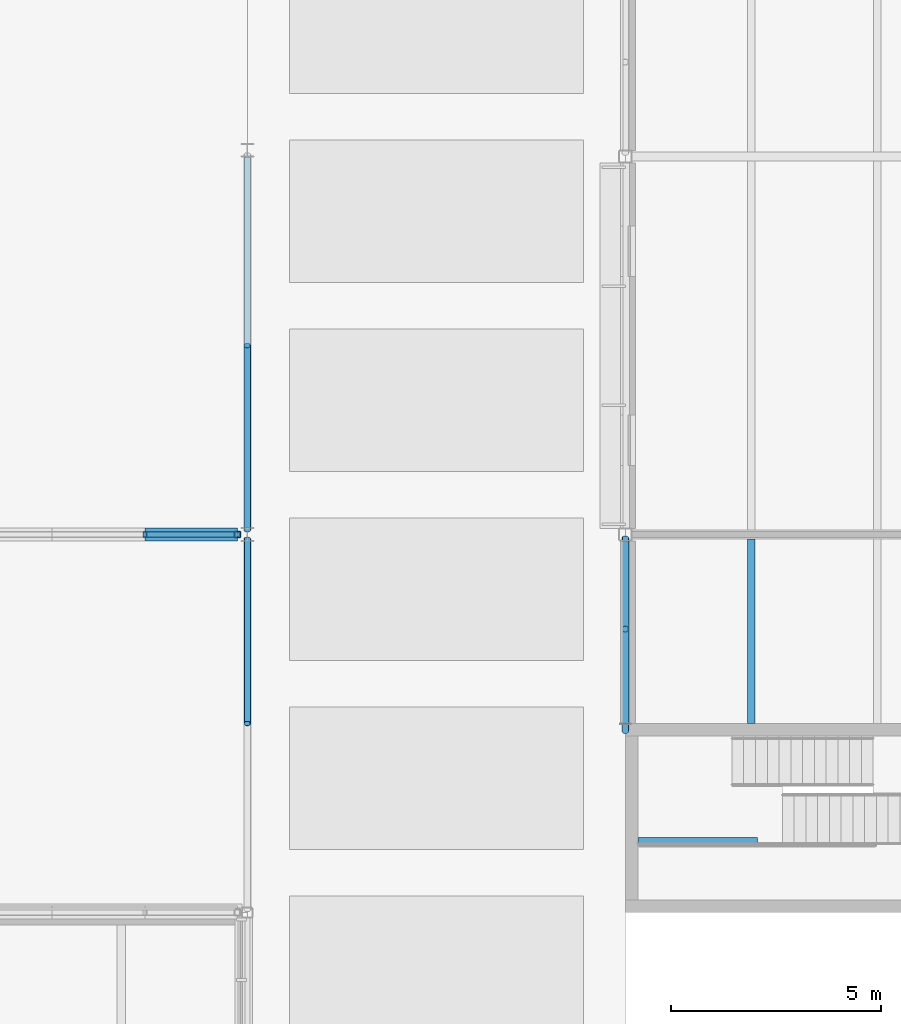
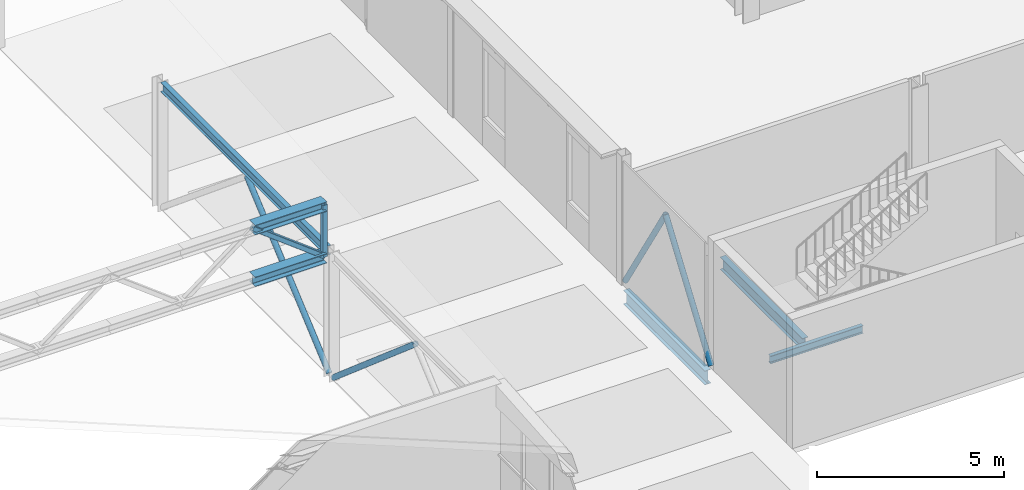
# One storey, part 11 of 61: 8 members, 4 beams.
"""IFC4 building model written with IfcOpenShell, lengths in metres."""

from ifc_helpers import new_model, si_unit, direction, frame, origin, origin_2d, place, context, subcontext, project, spatial, hollow_rectangle, hollow_circle, i_section, extrude, material, material_profile, profile_set, type_object, element, save


model = new_model("IFC4")

# Units and contexts
model_context = context("Model", 3, precision=1e-05, world=origin(), true_north=direction((0.0, 1.0)))
body_context = subcontext(model_context, "Body", "Model", "MODEL_VIEW")
ifc_project = project(units=[si_unit("LENGTHUNIT", "METRE"), si_unit("AREAUNIT", "SQUARE_METRE"), si_unit("VOLUMEUNIT", "CUBIC_METRE"), si_unit("PLANEANGLEUNIT", "RADIAN"), si_unit("MASSUNIT", "GRAM", prefix="KILO")], contexts=[model_context])

# Site, building, storey
site_placement = place(None, origin())
site = spatial("IfcSite", under=ifc_project, at=site_placement, CompositionType="ELEMENT")
building_placement = place(site_placement, origin())
building = spatial("IfcBuilding", under=site, at=building_placement, Name="Halyard Row Museum", CompositionType="ELEMENT")
storey_placement = place(building_placement, frame((0.0, 0.0, 9.199951171875)))
storey = spatial("IfcBuildingStorey", under=building, at=storey_placement, Name="L02", CompositionType="ELEMENT", Elevation=9.199951171875)

# Members
ifc_material_1 = material(Name="Steel Grade C350L0", Category="steel")
ifc_material_profile_1 = material_profile(ifc_material_1, hollow_circle(Radius=0.084228515625, WallThickness=0.007080078125, at=origin_2d()), Name="168.3x7.1CHS")
ifc_profile_set_1 = profile_set([ifc_material_profile_1], Name="Steel Grade C350L0")
member_type_1 = type_object("IfcMemberType", Name="Brace 168.3x7.1CHS", PredefinedType="BRACE", material=ifc_profile_set_1)
for number, where, z_axis, x_axis, name in (
    (1, (18.0, 26.886474609375, 0.084228515625), (0.0, -0.759304330453, 0.650735686554), (1.0, 0.0, 0.0), "Brace L02 X18 18-27 B"),
    (2, (18.0, 27.113525390625, 0.084228515625), (0.0, 0.759304330453, 0.650735686554), (-1.0, 0.0, 0.0), "Brace L02 X18 27-36 A"),
):
    element("IfcMember", number, at=place(storey_placement, frame(where, z_axis=z_axis, x_axis=x_axis)), inside=storey, type_object=member_type_1, Name=name, PredefinedType="BRACE", context=body_context, shape_type="SweptSolid", body=[
        extrude(hollow_circle(Radius=0.084228515625, WallThickness=0.007080078125, at=origin_2d()), origin(), (0.0, 0.0, 1.0), 5.77685546875),
    ])
member_1_placement = place(storey_placement, frame((27.0, 22.330078125, 0.084228515625), z_axis=(0.0, 0.57419692376, 0.818717223921), x_axis=(-1.0, 0.0, 0.0)))
element("IfcMember", 3, at=member_1_placement, inside=storey, type_object=member_type_1, Name="Brace L02 X27 22.5-27 A", PredefinedType="BRACE", context=body_context, shape_type="SweptSolid", body=[
    extrude(hollow_circle(Radius=0.084228515625, WallThickness=0.007080078125, at=origin_2d()), origin(), (0.0, 0.0, 1.0), 4.21435546875),
])
member_2_placement = place(storey_placement, frame((27.0, 26.89990234375, 0.084228515625), z_axis=(0.0, -0.528396087198, 0.848997982939), x_axis=(1.0, 0.0, 0.0)))
element("IfcMember", 4, at=member_2_placement, inside=storey, type_object=member_type_1, Name="Brace L02 X27 22.5-27 B", PredefinedType="BRACE", context=body_context, shape_type="SweptSolid", body=[
    extrude(hollow_circle(Radius=0.084228515625, WallThickness=0.007080078125, at=origin_2d()), origin(), (0.0, 0.0, 1.0), 4.06884765625),
])

# Beams
ifc_material_2 = material(Name="Steel Grade 300", Category="steel")
ifc_material_profile_2 = material_profile(ifc_material_2, i_section(OverallWidth=0.14892578125, OverallDepth=0.298095703125, WebThickness=0.005615234375, FlangeThickness=0.008056640625, FilletRadius=0.012939453125, at=origin_2d()), Name="310UB32.0")
ifc_profile_set_2 = profile_set([ifc_material_profile_2], Name="Steel Grade 300")
beam_type_1 = type_object("IfcBeamType", Name="Bracing girt 310UB32.0", PredefinedType="BEAM", material=ifc_profile_set_2)
beam_1_placement = place(storey_placement, frame((18.0, 27.16357421875, 4.051025390625), z_axis=(0.0, 1.0, 0.0), x_axis=(-1.0, 0.0, 0.0)))
element("IfcBeam", 5, at=beam_1_placement, inside=storey, type_object=beam_type_1, Name="Auditorium girt L02 27-36", PredefinedType="BEAM", context=body_context, shape_type="SweptSolid", body=[
    extrude(i_section(OverallWidth=0.14892578125, OverallDepth=0.298095703125, WebThickness=0.005615234375, FlangeThickness=0.008056640625, FilletRadius=0.012939453125, at=origin_2d()), origin(), (0.0, 0.0, 1.0), 8.82275390625),
])
ifc_material_3 = material(Name="Steel Grade 300", Category="steel")
ifc_material_profile_3 = material_profile(ifc_material_3, i_section(OverallWidth=0.18994140625, OverallDepth=0.45751953125, WebThickness=0.009033203125, FlangeThickness=0.014404296875, FilletRadius=0.011474609375, at=origin_2d()), Name="460UB74.6")
ifc_profile_set_3 = profile_set([ifc_material_profile_3], Name="Steel Grade 300")
beam_type_2 = type_object("IfcBeamType", Name="Edge beam 460UB74.6", PredefinedType="BEAM", material=ifc_profile_set_3)
beam_2_placement = place(storey_placement, frame((27.0, 22.5, -0.3935546875), z_axis=(0.0, 1.0, 0.0), x_axis=(-1.0, 0.0, 0.0)))
element("IfcBeam", 6, at=beam_2_placement, inside=storey, type_object=beam_type_2, Name="Beam L02-049", PredefinedType="BEAM", context=body_context, shape_type="SweptSolid", body=[
    extrude(i_section(OverallWidth=0.18994140625, OverallDepth=0.45751953125, WebThickness=0.009033203125, FlangeThickness=0.014404296875, FilletRadius=0.011474609375, at=origin_2d()), origin(), (0.0, 0.0, 1.0), 4.35009765625),
])
ifc_material_4 = material(Name="Steel Grade 300", Category="steel")
ifc_material_profile_4 = material_profile(ifc_material_4, i_section(OverallWidth=0.1240234375, OverallDepth=0.248046875, WebThickness=0.0048828125, FlangeThickness=0.008056640625, FilletRadius=0.011962890625, at=origin_2d()), Name="250UB25.7")
ifc_profile_set_4 = profile_set([ifc_material_profile_4], Name="Steel Grade 300")
beam_type_3 = type_object("IfcBeamType", Name="Landing trimmer 250UB25.7", PredefinedType="BEAM", material=ifc_profile_set_4)
beam_3_placement = place(storey_placement, frame((27.297119140625, 19.721923828125, 1.776123046875), z_axis=(1.0, 0.0, 0.0), x_axis=(0.0, 1.0, 0.0)))
element("IfcBeam", 7, at=beam_3_placement, inside=storey, type_object=beam_type_3, Name="Landing ledger K1D L02 1", PredefinedType="BEAM", context=body_context, shape_type="SweptSolid", body=[
    extrude(i_section(OverallWidth=0.1240234375, OverallDepth=0.248046875, WebThickness=0.0048828125, FlangeThickness=0.008056640625, FilletRadius=0.011962890625, at=origin_2d()), origin(), (0.0, 0.0, 1.0), 2.852783203125),
])
ifc_material_5 = material(Name="Steel Grade 300", Category="steel")
ifc_material_profile_5 = material_profile(ifc_material_5, i_section(OverallWidth=0.177978515625, OverallDepth=0.406494140625, WebThickness=0.0078125, FlangeThickness=0.0126953125, FilletRadius=0.011474609375, at=origin_2d()), Name="410UB59.7")
ifc_profile_set_5 = profile_set([ifc_material_profile_5], Name="Steel Grade 300")
beam_type_4 = type_object("IfcBeamType", Name="Secondary beam 410UB59.7", PredefinedType="BEAM", material=ifc_profile_set_5)
beam_4_placement = place(storey_placement, frame((30.0, 22.5, -0.3681640625), z_axis=(0.0, 1.0, 0.0), x_axis=(-1.0, 0.0, 0.0)))
element("IfcBeam", 8, at=beam_4_placement, inside=storey, type_object=beam_type_4, Name="Beam L02-113", PredefinedType="BEAM", context=body_context, shape_type="SweptSolid", body=[
    extrude(i_section(OverallWidth=0.177978515625, OverallDepth=0.406494140625, WebThickness=0.0078125, FlangeThickness=0.0126953125, FilletRadius=0.011474609375, at=origin_2d()), origin(), (0.0, 0.0, 1.0), 4.3955078125),
])

# Members
ifc_material_6 = material(Name="Steel Grade 300", Category="steel")
ifc_material_profile_6 = material_profile(ifc_material_6, i_section(OverallWidth=0.306884765625, OverallDepth=0.314697265625, WebThickness=0.011962890625, FlangeThickness=0.018798828125, FilletRadius=0.0166015625, at=origin_2d()), Name="310UC118")
ifc_profile_set_6 = profile_set([ifc_material_profile_6], Name="Steel Grade 300")
member_type_2 = type_object("IfcMemberType", Name="Truss chord 310UC118 bottom hall", PredefinedType="CHORD", material=ifc_profile_set_6)
member_3_placement = place(storey_placement, frame((15.560791015625, 27.0, 4.06787109375), z_axis=(1.0, 0.0, 0.0), x_axis=(0.0, 1.0, 0.0)))
element("IfcMember", 9, at=member_3_placement, inside=storey, type_object=member_type_2, Name="V3-RT2 bottom chord 8", PredefinedType="CHORD", context=body_context, shape_type="SweptSolid", body=[
    extrude(i_section(OverallWidth=0.306884765625, OverallDepth=0.314697265625, WebThickness=0.011962890625, FlangeThickness=0.018798828125, FilletRadius=0.0166015625, at=origin_2d()), origin(), (0.0, 0.0, 1.0), 2.208740234375),
])
ifc_material_7 = material(Name="Steel Grade 300", Category="steel")
ifc_material_profile_7 = material_profile(ifc_material_7, i_section(OverallWidth=0.306884765625, OverallDepth=0.314697265625, WebThickness=0.011962890625, FlangeThickness=0.018798828125, FilletRadius=0.0166015625, at=origin_2d()), Name="310UC118")
ifc_profile_set_7 = profile_set([ifc_material_profile_7], Name="Steel Grade 300")
member_type_3 = type_object("IfcMemberType", Name="Truss chord 310UC118 top hall", PredefinedType="CHORD", material=ifc_profile_set_7)
member_4_placement = place(storey_placement, frame((15.560791015625, 27.0, 5.75341796875), z_axis=(1.0, 0.0, 0.0), x_axis=(0.0, 1.0, 0.0)))
element("IfcMember", 10, at=member_4_placement, inside=storey, type_object=member_type_3, Name="V3-RT2 top chord 8", PredefinedType="CHORD", context=body_context, shape_type="SweptSolid", body=[
    extrude(i_section(OverallWidth=0.306884765625, OverallDepth=0.314697265625, WebThickness=0.011962890625, FlangeThickness=0.018798828125, FilletRadius=0.0166015625, at=origin_2d()), origin(), (0.0, 0.0, 1.0), 2.208740234375),
])
ifc_material_8 = material(Name="Steel Grade C350L0", Category="steel")
ifc_material_profile_8 = material_profile(ifc_material_8, hollow_rectangle(XDim=0.14990234375, YDim=0.14990234375, WallThickness=0.008056640625, InnerFilletRadius=0.011962890625, OuterFilletRadius=0.02001953125, at=origin_2d()), Name="150x150x8.0SHS")
ifc_profile_set_8 = profile_set([ifc_material_profile_8], Name="Steel Grade C350L0")
member_type_4 = type_object("IfcMemberType", Name="Truss diagonal 150x150x8.0SHS", PredefinedType="BRACE", material=ifc_profile_set_8)
member_5_placement = place(storey_placement, frame((15.560791015625, 27.0, 5.75341796875), z_axis=(0.794963513129, 0.0, -0.606657244903), x_axis=(0.0, 1.0, 0.0)))
element("IfcMember", 11, at=member_5_placement, inside=storey, type_object=member_type_4, Name="V3-RT2 diagonal 8", PredefinedType="BRACE", context=body_context, shape_type="SweptSolid", body=[
    extrude(hollow_rectangle(XDim=0.14990234375, YDim=0.14990234375, WallThickness=0.008056640625, InnerFilletRadius=0.011962890625, OuterFilletRadius=0.02001953125, at=origin_2d()), origin(), (0.0, 0.0, 1.0), 2.7783203125),
])
ifc_material_9 = material(Name="Steel Grade C350L0", Category="steel")
ifc_material_profile_9 = material_profile(ifc_material_9, hollow_rectangle(XDim=0.14990234375, YDim=0.14990234375, WallThickness=0.008056640625, InnerFilletRadius=0.011962890625, OuterFilletRadius=0.02001953125, at=origin_2d()), Name="150x150x8.0SHS")
ifc_profile_set_9 = profile_set([ifc_material_profile_9], Name="Steel Grade C350L0")
member_type_5 = type_object("IfcMemberType", Name="Truss post 150x150x8.0SHS", PredefinedType="POST", material=ifc_profile_set_9)
member_6_placement = place(storey_placement, frame((17.76953125, 27.0, 4.06787109375), z_axis=(0.0, 0.0, 1.0), x_axis=(1.0, 0.0, 0.0)))
element("IfcMember", 12, at=member_6_placement, inside=storey, type_object=member_type_5, Name="V3-RT2 end post 2", PredefinedType="POST", context=body_context, shape_type="SweptSolid", body=[
    extrude(hollow_rectangle(XDim=0.14990234375, YDim=0.14990234375, WallThickness=0.008056640625, InnerFilletRadius=0.011962890625, OuterFilletRadius=0.02001953125, at=origin_2d()), origin(), (0.0, 0.0, 1.0), 1.685546875),
])

save(model, "model.ifc")
